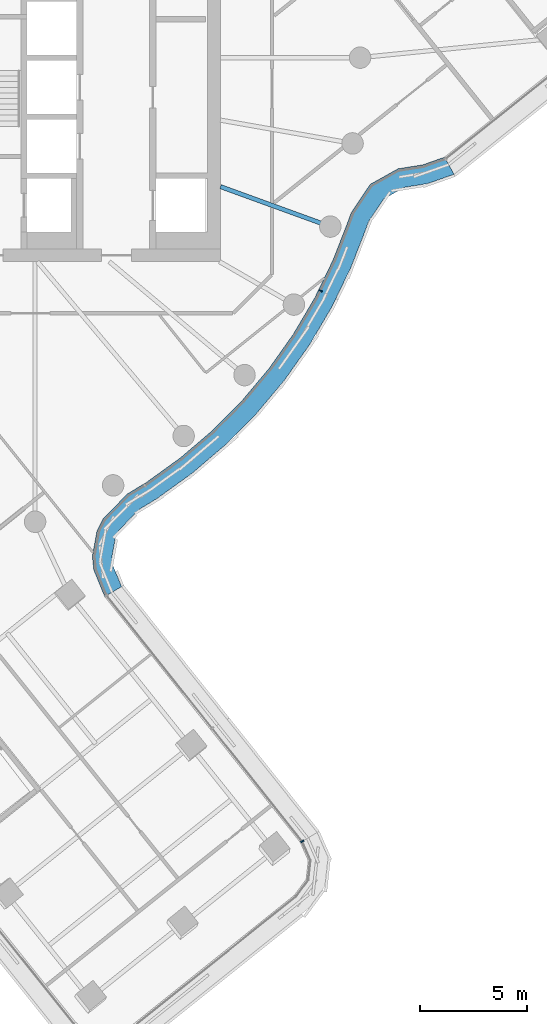
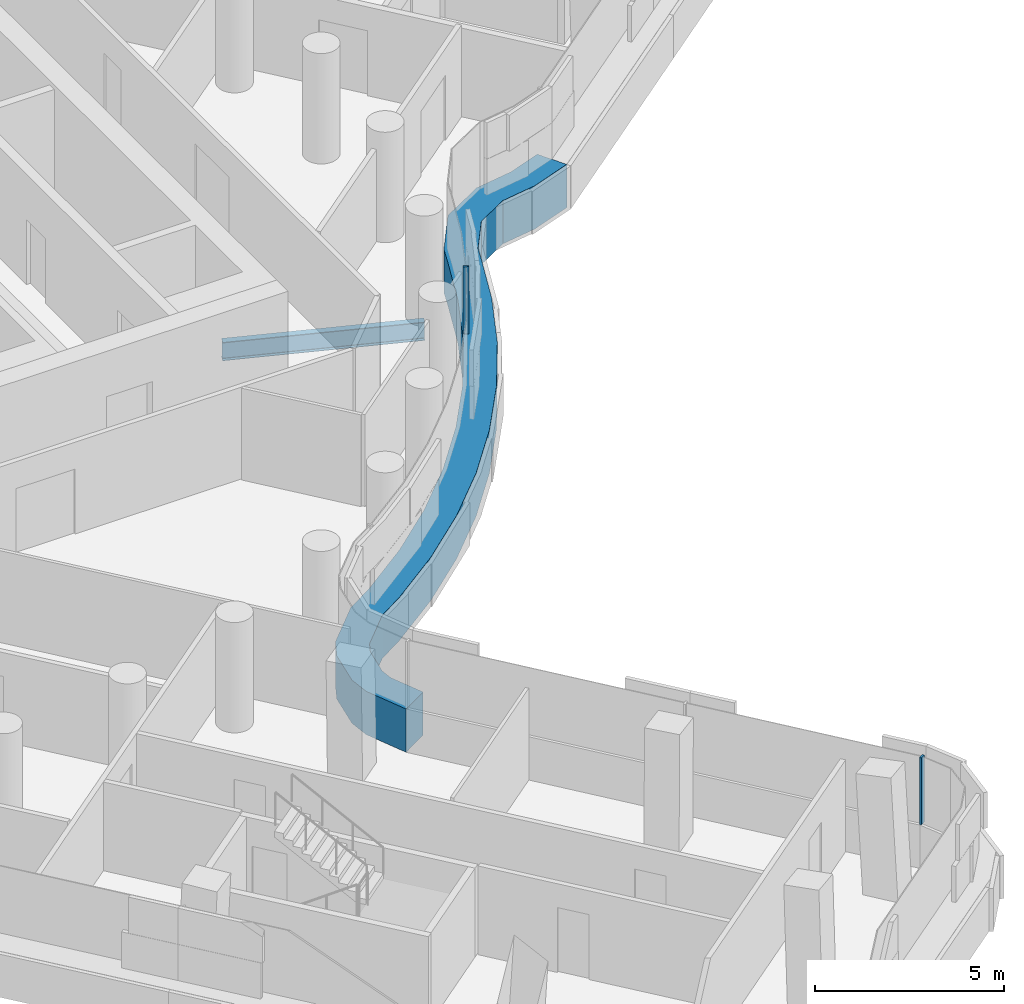
# One storey, part 10 of 31: 3 members, 1 beam, 2 elements without a shape of their own.
"""IFC4 building model written with IfcOpenShell, lengths in metres."""

from ifc_helpers import new_model, si_unit, direction, frame, origin, origin_2d, place, context, subcontext, project, spatial, polyline, rectangle, i_section, outline, extrude, material, layer, layer_set, material_profile, profile_set, type_object, element, aggregate, save


model = new_model("IFC4")

# Units and contexts
model_context = context("Model", 3, precision=1e-05, world=origin(), true_north=direction((0.0, 1.0)))
body_context = subcontext(model_context, "Body", "Model", "MODEL_VIEW")
ifc_project = project(units=[si_unit("LENGTHUNIT", "METRE"), si_unit("AREAUNIT", "SQUARE_METRE"), si_unit("VOLUMEUNIT", "CUBIC_METRE"), si_unit("PLANEANGLEUNIT", "RADIAN"), si_unit("MASSUNIT", "GRAM", prefix="KILO")], contexts=[model_context])

# Site, building, storey
site_placement = place(None, origin())
site = spatial("IfcSite", under=ifc_project, at=site_placement, CompositionType="ELEMENT")
building_placement = place(site_placement, origin())
building = spatial("IfcBuilding", under=site, at=building_placement, Name="Tamarind Cross Interchange Tower", CompositionType="ELEMENT")
storey_placement = place(building_placement, frame((0.0, 0.0, 174.25)))
storey = spatial("IfcBuildingStorey", under=building, at=storey_placement, Name="L43", CompositionType="ELEMENT", Elevation=174.25)

# Beam
ifc_material_1 = material(Name="Steel Q355B", Category="steel")
ifc_material_profile_1 = material_profile(ifc_material_1, i_section(OverallWidth=0.198974609375, OverallDepth=0.595947265625, WebThickness=0.010009765625, FlangeThickness=0.014892578125, FilletRadius=0.012939453125, at=origin_2d()), Name="HN 596x199x10x15")
ifc_profile_set_1 = profile_set([ifc_material_profile_1], Name="Steel Q355B")
beam_type = type_object("IfcBeamType", Name="Composite beam HN 596x199x10x15 Q355B", PredefinedType="BEAM", material=ifc_profile_set_1)
beam_placement = place(storey_placement, frame((21.613037109375, -7.866455078125, -0.43798828125), z_axis=(-0.939701685589, 0.341995236956, 0.0), x_axis=(-0.341995236956, -0.939701685589, 0.0)))
element("IfcBeam", 1, at=beam_placement, inside=storey, type_object=beam_type, Name="Beam HH34", PredefinedType="BEAM", context=body_context, shape_type="SweptSolid", body=[
    extrude(i_section(OverallWidth=0.198974609375, OverallDepth=0.595947265625, WebThickness=0.010009765625, FlangeThickness=0.014892578125, FilletRadius=0.012939453125, at=origin_2d()), origin(), (0.0, 0.0, 1.0), 5.441162109375),
])

# Curtain wall, member
ifc_material_2 = material(Name="Aluminium 6063-T6", Category="aluminium")
ifc_layer = layer(ifc_material_2, 0.159912109375)
ifc_layer_set = layer_set([ifc_layer], Name="Aluminium 6063-T6")
curtain_wall_type = type_object("IfcCurtainWallType", Name="Office curtain wall, 9.0 m bays", PredefinedType="NOTDEFINED", material=ifc_layer_set)
curtain_wall_1_placement = place(storey_placement, origin())
curtain_wall_1 = element("IfcCurtainWall", 2, at=curtain_wall_1_placement, inside=storey, type_object=curtain_wall_type, Name="CWS-L43-06", PredefinedType="NOTDEFINED")
ifc_material_3 = material(Name="Aluminium and insulated spandrel panel", Category="aluminium")
member_type_1 = type_object("IfcMemberType", Name="Floor-edge blade transom", PredefinedType="USERDEFINED", material=ifc_material_3)
member_1_placement = place(storey_placement, origin())
member_1 = element("IfcMember", 3, at=member_1_placement, type_object=member_type_1, Name="CWT-L43-06", ObjectType="TRANSOM", PredefinedType="USERDEFINED", context=body_context, shape_type="SweptSolid", body=[
    extrude(outline(polyline([(11.109375, -25.097900390625), (10.599365234375, -23.857177734375), (10.532470703125, -23.224365234375), (10.746337890625, -22.0458984375), (11.03271484375, -21.473388671875), (12.16650390625, -20.3154296875), (13.045166015625, -19.78173828125), (14.634521484375, -18.636474609375), (16.12353515625, -17.3642578125), (17.50244140625, -15.973388671875), (18.76171875, -14.4736328125), (19.892822265625, -12.874755859375), (20.88818359375, -11.188232421875), (21.740966796875, -9.42431640625), (22.38134765625, -7.782958984375), (22.590576171875, -7.210693359375), (23.474609375, -5.896484375), (24.770751953125, -5.173828125), (25.92919921875, -4.988525390625), (26.933837890625, -4.633056640625), (27.377197265625, -5.430908203125), (26.15234375, -5.8642578125), (25.070068359375, -6.037353515625), (24.10107421875, -6.57763671875), (23.3984375, -7.622314453125), (23.223388671875, -8.10107421875), (22.566650390625, -9.784423828125), (21.68212890625, -11.613525390625), (20.64892578125, -13.3642578125), (19.474853515625, -15.023681640625), (18.167724609375, -16.580810546875), (16.736572265625, -18.0244140625), (15.19091796875, -19.344970703125), (13.54248046875, -20.532470703125), (12.73046875, -21.02587890625), (11.7744140625, -22.002197265625), (11.60888671875, -22.333251953125), (11.441162109375, -23.258056640625), (11.48095703125, -23.63427734375), (11.893310546875, -24.637451171875), (11.109375, -25.097900390625)])), origin(), (0.0, 0.0, 1.0), 1.39990234375),
])

curtain_wall_2_placement = place(storey_placement, origin())
curtain_wall_2 = element("IfcCurtainWall", 4, at=curtain_wall_2_placement, inside=storey, type_object=curtain_wall_type, Name="CWS-L43-05", PredefinedType="NOTDEFINED")
ifc_material_profile_2 = material_profile(ifc_material_2, rectangle(XDim=0.06005859375, YDim=0.159912109375, at=origin_2d()), Name="Mullion CW1")
ifc_profile_set_2 = profile_set([ifc_material_profile_2], Name="Aluminium 6063-T6")
member_type_2 = type_object("IfcMemberType", Name="Mullion CW1", PredefinedType="MULLION", material=ifc_profile_set_2)
member_2_placement = place(storey_placement, frame((20.30615234375, -36.498779296875, 1.39990234375), z_axis=(0.0, 0.0, 1.0), x_axis=(-0.516222294281, 0.856454635627, 0.0)))
member_2 = element("IfcMember", 5, at=member_2_placement, type_object=member_type_2, Name="CWM-L43-05-00", PredefinedType="MULLION", context=body_context, shape_type="SweptSolid", body=[
    extrude(rectangle(XDim=0.06005859375, YDim=0.159912109375, at=origin_2d()), origin(), (0.0, 0.0, 1.0), 2.170166015625),
])
aggregate(curtain_wall_2, [member_2])

# Member
member_3_placement = place(storey_placement, frame((21.161376953125, -10.8525390625, 1.39990234375), z_axis=(0.0, 0.0, 1.0), x_axis=(0.435326231914, 0.900272776334, 0.0)))
member_3 = element("IfcMember", 6, at=member_3_placement, type_object=member_type_2, Name="CWM-L43-06-02", PredefinedType="MULLION", context=body_context, shape_type="SweptSolid", body=[
    extrude(rectangle(XDim=0.06005859375, YDim=0.159912109375, at=origin_2d()), origin(), (0.0, 0.0, 1.0), 2.170166015625),
])

aggregate(curtain_wall_1, [member_3, member_1])

save(model, "model.ifc")
